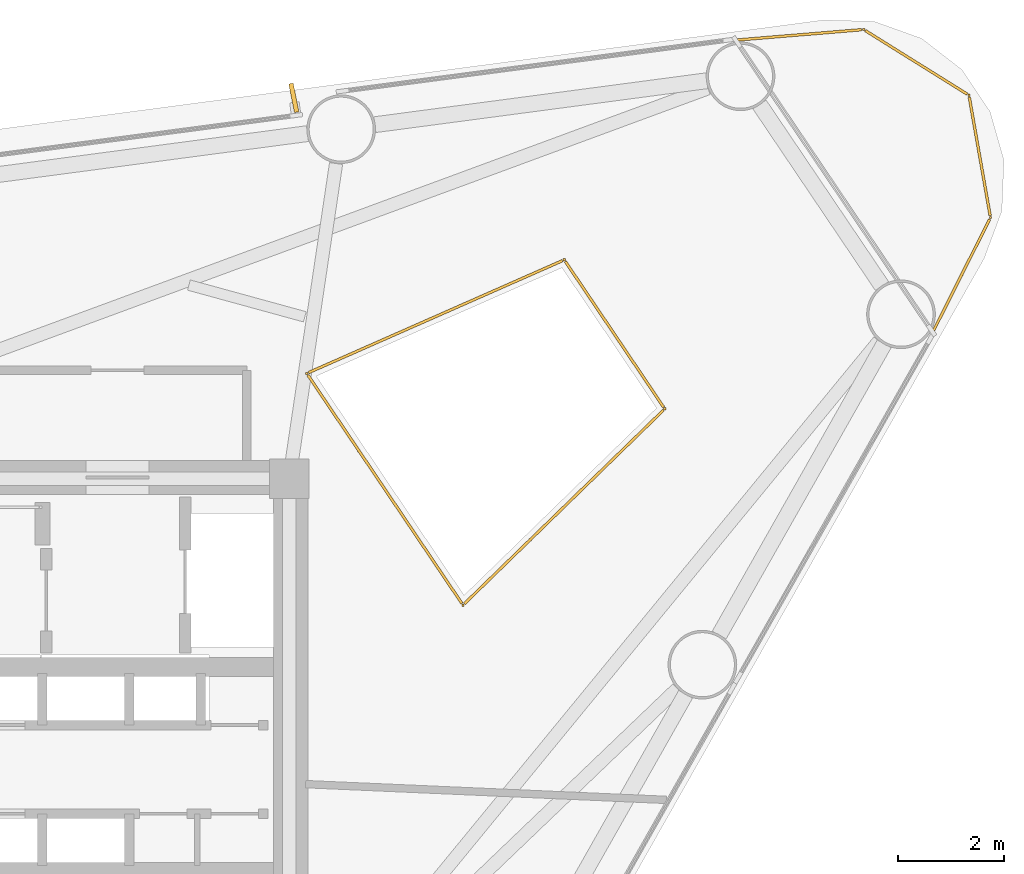
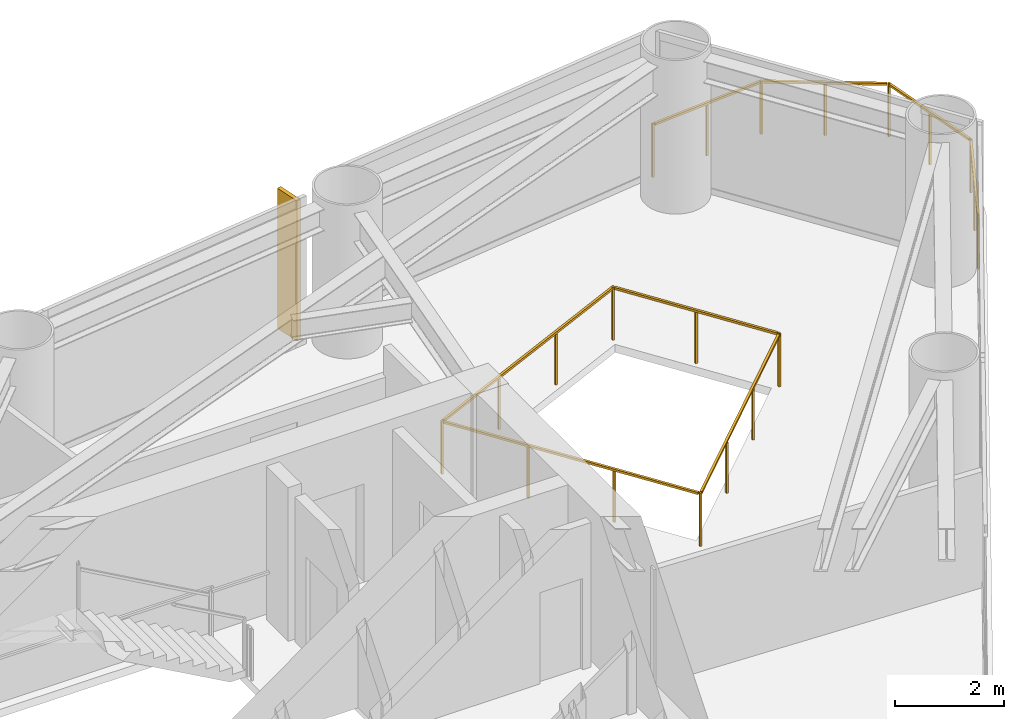
# One storey, part 9 of 9: 2 railings, 1 shading device.
"""IFC4 building model written with IfcOpenShell, lengths in metres."""

from ifc_helpers import new_model, si_unit, direction, frame, origin, origin_2d, place, context, subcontext, project, spatial, rectangle, extrude, source, transform, mapped, material, material_profile, profile_set, type_object, element, save


model = new_model("IFC4")

# Units and contexts
model_context = context("Model", 3, precision=1e-05, world=origin(), true_north=direction((0.0, 1.0)))
body_context = subcontext(model_context, "Body", "Model", "MODEL_VIEW")
ifc_project = project(units=[si_unit("LENGTHUNIT", "METRE"), si_unit("AREAUNIT", "SQUARE_METRE"), si_unit("VOLUMEUNIT", "CUBIC_METRE"), si_unit("PLANEANGLEUNIT", "RADIAN"), si_unit("MASSUNIT", "GRAM", prefix="KILO")], contexts=[model_context])

# Site, building, storey
site_placement = place(None, origin())
site = spatial("IfcSite", under=ifc_project, at=site_placement, CompositionType="ELEMENT")
building_placement = place(site_placement, origin())
building = spatial("IfcBuilding", under=site, at=building_placement, Name="Yunling Apex Tower", CompositionType="ELEMENT")
storey_placement = place(building_placement, frame((0.0, 0.0, 172.550048828125)))
storey = spatial("IfcBuildingStorey", under=building, at=storey_placement, Name="L42", CompositionType="ELEMENT", Elevation=172.550048828125)

# Railings
ifc_material = material(Name="Bronze anodised aluminium", Category="aluminium")
railing_type = type_object("IfcRailingType", Name="RL-BAL-1200", PredefinedType="BALUSTRADE", material=ifc_material)
railing_1_placement = place(storey_placement, frame((14.496337890625, 13.798095703125, 0.0)))
element("IfcRailing", 1, at=railing_1_placement, inside=storey, type_object=railing_type, Name="RL-CRNSILL-L42-1", PredefinedType="BALUSTRADE", context=body_context, shape_type="SweptSolid", body=[
    extrude(rectangle(XDim=0.0439453125, YDim=0.0439453125, at=origin_2d()), origin(), (0.0, 0.0, 1.0), 1.199951171875),
    extrude(rectangle(XDim=0.0439453125, YDim=0.0439453125, at=origin_2d()), frame((2.421142578125, 0.2001953125, 0.0)), (0.0, 0.0, 1.0), 1.199951171875),
    extrude(rectangle(XDim=0.050048828125, YDim=0.050048828125, at=origin_2d()), frame((0.0380859375, 0.003173828125, 1.1748046875), z_axis=(0.99659891826, 0.082405073407, 0.0), x_axis=(-0.082405073407, 0.99659891826, 0.0)), (0.0, 0.0, 1.0), 2.352783203125),
    extrude(rectangle(XDim=0.0439453125, YDim=0.0439453125, at=origin_2d()), frame((1.21044921875, 0.10009765625, 0.0)), (0.0, 0.0, 1.0), 1.14599609375),
    extrude(rectangle(XDim=0.0439453125, YDim=0.0439453125, at=origin_2d()), frame((4.412841796875, -1.043701171875, 0.0)), (0.0, 0.0, 1.0), 1.199951171875),
    extrude(rectangle(XDim=0.050048828125, YDim=0.050048828125, at=origin_2d()), frame((2.45361328125, 0.179931640625, 1.1748046875), z_axis=(0.84817348515, -0.52971854705, 0.0), x_axis=(0.52971854705, 0.84817348515, 0.0)), (0.0, 0.0, 1.0), 2.271484375),
    extrude(rectangle(XDim=0.0439453125, YDim=0.0439453125, at=origin_2d()), frame((3.4169921875, -0.421875, 0.0)), (0.0, 0.0, 1.0), 1.14599609375),
    extrude(rectangle(XDim=0.0439453125, YDim=0.0439453125, at=origin_2d()), frame((4.820068359375, -3.356201171875, 0.0)), (0.0, 0.0, 1.0), 1.199951171875),
    extrude(rectangle(XDim=0.050048828125, YDim=0.050048828125, at=origin_2d()), frame((4.41943359375, -1.08154296875, 1.1748046875), z_axis=(0.173429436748, -0.984846297891, 0.0), x_axis=(0.984846297891, 0.173429436748, 0.0)), (0.0, 0.0, 1.0), 2.271484375),
    extrude(rectangle(XDim=0.0439453125, YDim=0.0439453125, at=origin_2d()), frame((4.616455078125, -2.199951171875, 0.0)), (0.0, 0.0, 1.0), 1.14599609375),
    extrude(rectangle(XDim=0.0439453125, YDim=0.0439453125, at=origin_2d()), frame((3.7275390625, -5.526123046875, 0.0)), (0.0, 0.0, 1.0), 1.199951171875),
    extrude(rectangle(XDim=0.050048828125, YDim=0.050048828125, at=origin_2d()), frame((4.802734375, -3.390380859375, 1.1748046875), z_axis=(-0.449704074189, -0.893177611485, 0.0), x_axis=(0.893177611485, -0.449704074189, 0.0)), (0.0, 0.0, 1.0), 2.352783203125),
    extrude(rectangle(XDim=0.0439453125, YDim=0.0439453125, at=origin_2d()), frame((4.27392578125, -4.441162109375, 0.0)), (0.0, 0.0, 1.0), 1.14599609375),
])
railing_2_placement = place(storey_placement, frame((6.381103515625, 7.49267578125, 0.0)))
element("IfcRailing", 2, at=railing_2_placement, inside=storey, type_object=railing_type, Name="RL-TATR-L42", PredefinedType="BALUSTRADE", context=body_context, shape_type="SweptSolid", body=[
    extrude(rectangle(XDim=0.0439453125, YDim=0.0439453125, at=origin_2d()), origin(), (0.0, 0.0, 1.0), 1.199951171875),
    extrude(rectangle(XDim=0.0439453125, YDim=0.0439453125, at=origin_2d()), frame((4.87158203125, 2.1484375, 0.0)), (0.0, 0.0, 1.0), 1.199951171875),
    extrude(rectangle(XDim=0.050048828125, YDim=0.050048828125, at=origin_2d()), frame((0.03515625, 0.015380859375, 1.1748046875), z_axis=(0.914972578992, 0.403516021606, 0.0), x_axis=(-0.403516021606, 0.914972578992, 0.0)), (0.0, 0.0, 1.0), 5.24755859375),
    extrude(rectangle(XDim=0.0439453125, YDim=0.0439453125, at=origin_2d()), frame((1.623779296875, 0.716064453125, 0.0)), (0.0, 0.0, 1.0), 1.14599609375),
    extrude(rectangle(XDim=0.0439453125, YDim=0.0439453125, at=origin_2d()), frame((3.247802734375, 1.432373046875, 0.0)), (0.0, 0.0, 1.0), 1.14599609375),
    extrude(rectangle(XDim=0.0439453125, YDim=0.0439453125, at=origin_2d()), frame((6.773193359375, -0.6708984375, 0.0)), (0.0, 0.0, 1.0), 1.199951171875),
    extrude(rectangle(XDim=0.050048828125, YDim=0.050048828125, at=origin_2d()), frame((4.89306640625, 2.11669921875, 1.1748046875), z_axis=(0.559181833343, -0.829045039343, 0.0), x_axis=(0.829045039343, 0.559181833343, 0.0)), (0.0, 0.0, 1.0), 3.323974609375),
    extrude(rectangle(XDim=0.0439453125, YDim=0.0439453125, at=origin_2d()), frame((5.822265625, 0.73876953125, 0.0)), (0.0, 0.0, 1.0), 1.14599609375),
    extrude(rectangle(XDim=0.0439453125, YDim=0.0439453125, at=origin_2d()), frame((2.956298828125, -4.383056640625, 0.0)), (0.0, 0.0, 1.0), 1.199951171875),
    extrude(rectangle(XDim=0.050048828125, YDim=0.050048828125, at=origin_2d()), frame((6.74560546875, -0.697509765625, 1.1748046875), z_axis=(-0.71687395367, -0.697202792987, 0.0), x_axis=(0.697202792987, -0.71687395367, 0.0)), (0.0, 0.0, 1.0), 5.247802734375),
    extrude(rectangle(XDim=0.0439453125, YDim=0.0439453125, at=origin_2d()), frame((5.5009765625, -1.908203125, 0.0)), (0.0, 0.0, 1.0), 1.14599609375),
    extrude(rectangle(XDim=0.0439453125, YDim=0.0439453125, at=origin_2d()), frame((4.228515625, -3.145751953125, 0.0)), (0.0, 0.0, 1.0), 1.14599609375),
    extrude(rectangle(XDim=0.050048828125, YDim=0.050048828125, at=origin_2d()), frame((2.934814453125, -4.351318359375, 1.1748046875), z_axis=(-0.559178576396, 0.829047236109, 0.0), x_axis=(-0.829047236109, -0.559178576396, 0.0)), (0.0, 0.0, 1.0), 5.210205078125),
    extrude(rectangle(XDim=0.0439453125, YDim=0.0439453125, at=origin_2d()), frame((1.970947265625, -2.922119140625, 0.0)), (0.0, 0.0, 1.0), 1.14599609375),
    extrude(rectangle(XDim=0.0439453125, YDim=0.0439453125, at=origin_2d()), frame((0.9853515625, -1.4609375, 0.0)), (0.0, 0.0, 1.0), 1.14599609375),
])

# Shading device
ifc_material_profile = material_profile(ifc_material, rectangle(XDim=0.0849609375, YDim=0.550048828125, at=origin_2d()))
ifc_profile_set = profile_set([ifc_material_profile], Name="Bronze anodised aluminium")
shading_device_type = type_object("IfcShadingDeviceType", Name="FN-BRZ-3", PredefinedType="USERDEFINED", material=ifc_profile_set)
shared_shape = source(origin(), body_context, "Body", "SweptSolid", [
    extrude(rectangle(XDim=0.0849609375, YDim=0.550048828125, at=origin_2d()), origin(), (0.0, 0.0, 1.0), 3.14990234375),
])
shading_device_placement = place(storey_placement, frame((6.13671875, 12.706787109375, 0.06005859375), z_axis=(0.0, 0.0, 1.0), x_axis=(-0.980648842665, -0.195774991714, 0.0)))
element("IfcShadingDevice", 3, at=shading_device_placement, inside=storey, type_object=shading_device_type, Name="CW-L42-F2-B2-FIN-01", ObjectType="FIN", PredefinedType="USERDEFINED", context=body_context, shape_type="MappedRepresentation", body=[
    mapped(shared_shape, transform((0.0, 0.0, 0.0), scale=1.0)),
])

save(model, "model.ifc")
